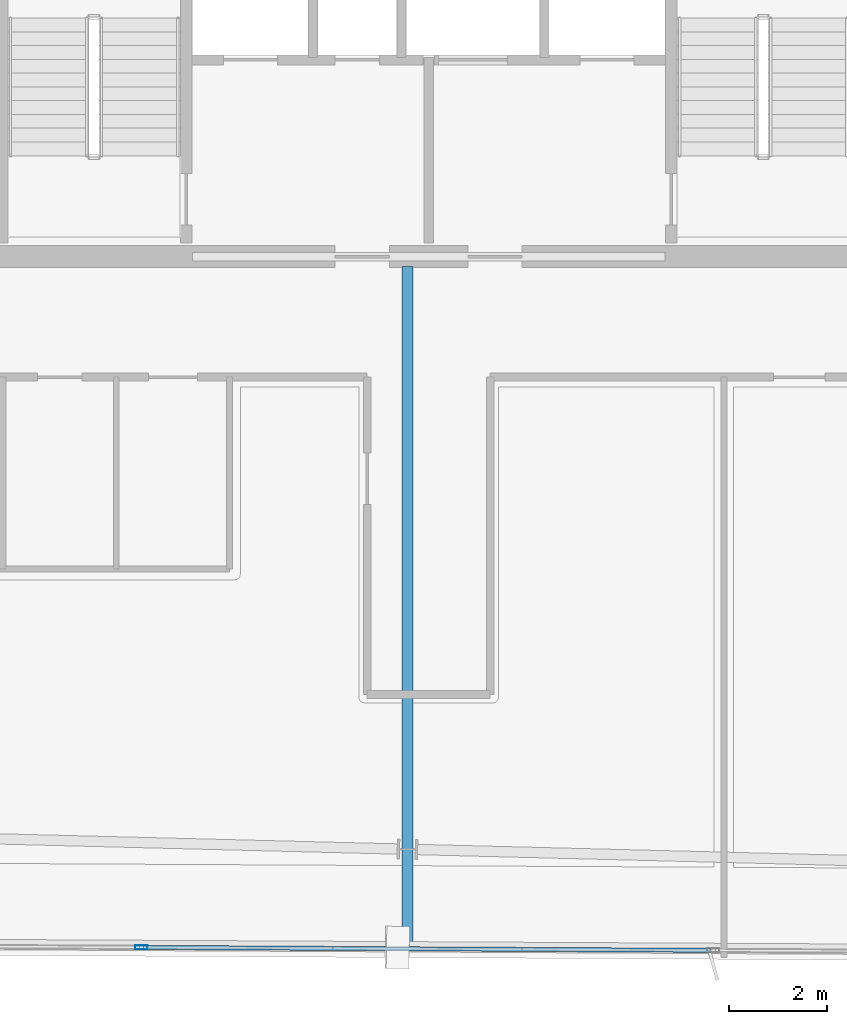
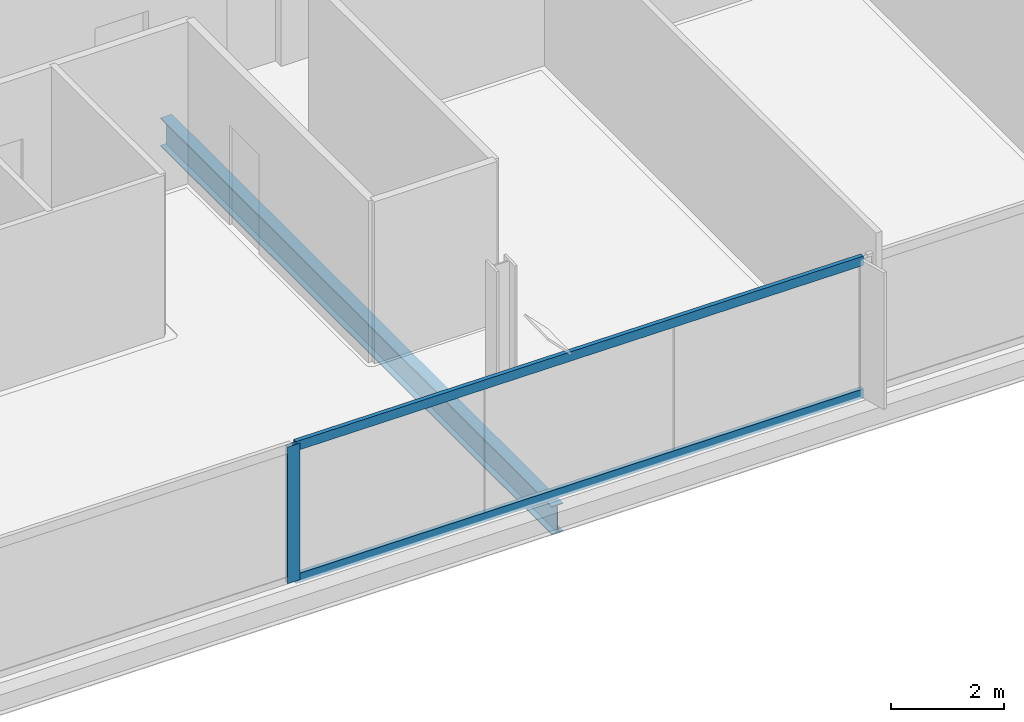
# One storey, part 4 of 24: 3 members, 1 beam, 1 element without a shape of its own.
"""IFC4 building model written with IfcOpenShell, lengths in metres."""

from ifc_helpers import new_model, si_unit, direction, frame, origin, origin_2d, place, context, subcontext, project, spatial, hollow_rectangle, i_section, extrude, material, material_profile, profile_set, type_object, element, aggregate, save


model = new_model("IFC4")

# Units and contexts
model_context = context("Model", 3, precision=1e-05, world=origin(), true_north=direction((0.0, 1.0)))
body_context = subcontext(model_context, "Body", "Model", "MODEL_VIEW")
ifc_project = project(units=[si_unit("LENGTHUNIT", "METRE"), si_unit("AREAUNIT", "SQUARE_METRE"), si_unit("VOLUMEUNIT", "CUBIC_METRE"), si_unit("PLANEANGLEUNIT", "RADIAN"), si_unit("MASSUNIT", "GRAM", prefix="KILO")], contexts=[model_context])

# Site, building, storey
site_placement = place(None, origin())
site = spatial("IfcSite", under=ifc_project, at=site_placement, CompositionType="ELEMENT")
building_placement = place(site_placement, origin())
building = spatial("IfcBuilding", under=site, at=building_placement, Name="Haldenkirk Collegiate Tower", CompositionType="ELEMENT")
storey_placement = place(building_placement, frame((0.0, 0.0, 328.949951171875)))
storey = spatial("IfcBuildingStorey", under=building, at=storey_placement, Name="L83", CompositionType="ELEMENT", Elevation=328.949951171875)

# Beam
ifc_material_1 = material(Name="Steel ASTM A992 Grade 50", Category="steel")
ifc_material_profile_1 = material_profile(ifc_material_1, i_section(OverallWidth=0.22998046875, OverallDepth=0.616943359375, WebThickness=0.01318359375, FlangeThickness=0.022216796875, at=origin_2d()), Name="W24X94")
ifc_profile_set_1 = profile_set([ifc_material_profile_1], Name="Steel ASTM A992 Grade 50")
beam_type = type_object("IfcBeamType", Name="BM-GIRDER-W24X94", PredefinedType="BEAM", material=ifc_profile_set_1)
beam_placement = place(storey_placement, frame((35.567626953125, 3.971923828125, -0.568359375), z_axis=(0.0, 1.0, 0.0), x_axis=(-1.0, 0.0, 0.0)))
element("IfcBeam", 1, at=beam_placement, inside=storey, type_object=beam_type, Name="L83 primary floor girder 15", PredefinedType="BEAM", context=body_context, shape_type="SweptSolid", body=[
    extrude(i_section(OverallWidth=0.22998046875, OverallDepth=0.616943359375, WebThickness=0.01318359375, FlangeThickness=0.022216796875, at=origin_2d()), origin(), (0.0, 0.0, 1.0), 13.822998046875),
])

# Curtain wall, members
ifc_material_2 = material(Name="Anodised architectural bronze aluminium", Category="aluminium")
curtain_wall_type = type_object("IfcCurtainWallType", Name="CW-SYS1B-CONVEX-HI", PredefinedType="USERDEFINED", material=ifc_material_2)
curtain_wall_placement = place(storey_placement, origin())
curtain_wall = element("IfcCurtainWall", 2, at=curtain_wall_placement, inside=storey, type_object=curtain_wall_type, Name="L83 Upper tower high-wind convex bronze unitised curtain wall", ObjectType="UNITISED CURTAIN WALL", PredefinedType="USERDEFINED")
ifc_material_profile_2 = material_profile(ifc_material_2, hollow_rectangle(XDim=0.0849609375, YDim=0.25, WallThickness=0.0048828125, at=origin_2d()), Name="CW-MUL-1B")
ifc_profile_set_2 = profile_set([ifc_material_profile_2], Name="Anodised architectural bronze aluminium")
member_type_1 = type_object("IfcMemberType", Name="CW-MUL-1B", PredefinedType="MULLION", material=ifc_profile_set_2)
member_1_placement = place(storey_placement, frame((30.159423828125, 3.960205078125, 0.0), z_axis=(0.0, 0.0, 1.0), x_axis=(-0.005238712897, -0.999986277849, 0.0)))
member_1 = element("IfcMember", 3, at=member_1_placement, type_object=member_type_1, Name="CW-1B mullion 3", PredefinedType="MULLION", context=body_context, shape_type="SweptSolid", body=[
    extrude(hollow_rectangle(XDim=0.0849609375, YDim=0.25, WallThickness=0.0048828125, at=origin_2d()), origin(), (0.0, 0.0, 1.0), 2.947998046875),
])
ifc_material_profile_3 = material_profile(ifc_material_2, hollow_rectangle(XDim=0.0849609375, YDim=0.199951171875, WallThickness=0.0048828125, at=origin_2d()), Name="CW-TRN-1B")
ifc_profile_set_3 = profile_set([ifc_material_profile_3], Name="Anodised architectural bronze aluminium")
member_type_2 = type_object("IfcMemberType", Name="CW-TRN-1B", PredefinedType="USERDEFINED", material=ifc_profile_set_3)
member_2_placement = place(storey_placement, frame((41.74169921875, 3.899658203125, 0.04248046875), z_axis=(-0.999986346659, 0.005225561758, 0.0), x_axis=(-0.005225561758, -0.999986346659, 0.0)))
member_2 = element("IfcMember", 4, at=member_2_placement, type_object=member_type_2, Name="CW-1B transom 2.1", ObjectType="TRANSOM", PredefinedType="USERDEFINED", context=body_context, shape_type="SweptSolid", body=[
    extrude(hollow_rectangle(XDim=0.0849609375, YDim=0.199951171875, WallThickness=0.0048828125, at=origin_2d()), origin(), (0.0, 0.0, 1.0), 11.5400390625),
])
member_3_placement = place(storey_placement, frame((41.74169921875, 3.899658203125, 2.905517578125), z_axis=(-0.999986346659, 0.005225561758, 0.0), x_axis=(-0.005225561758, -0.999986346659, 0.0)))
member_3 = element("IfcMember", 5, at=member_3_placement, type_object=member_type_2, Name="CW-1B transom 2.2", ObjectType="TRANSOM", PredefinedType="USERDEFINED", context=body_context, shape_type="SweptSolid", body=[
    extrude(hollow_rectangle(XDim=0.0849609375, YDim=0.199951171875, WallThickness=0.0048828125, at=origin_2d()), origin(), (0.0, 0.0, 1.0), 11.5400390625),
])
aggregate(curtain_wall, [member_1, member_2, member_3])

save(model, "model.ifc")
